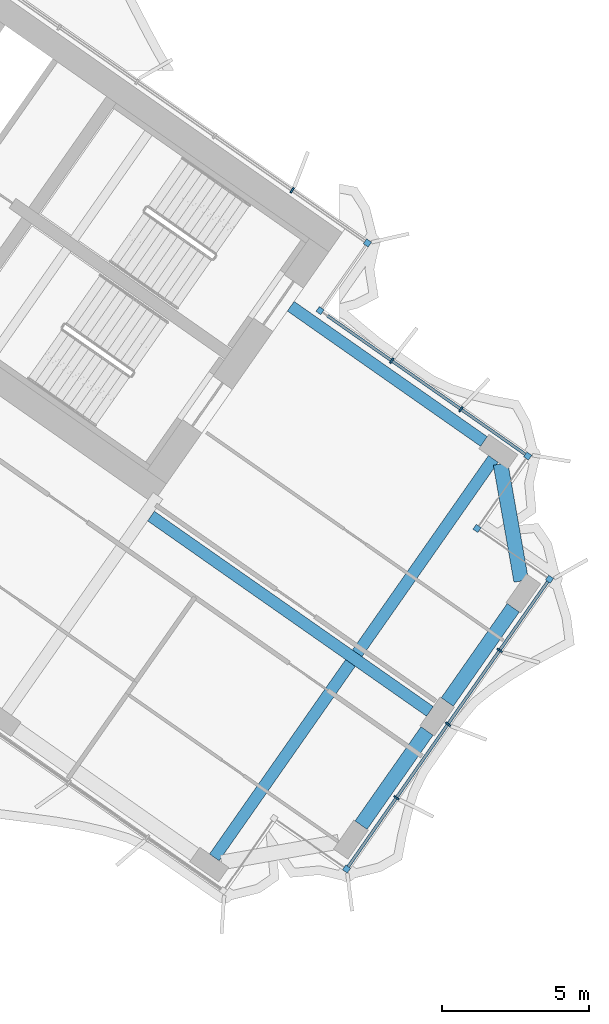
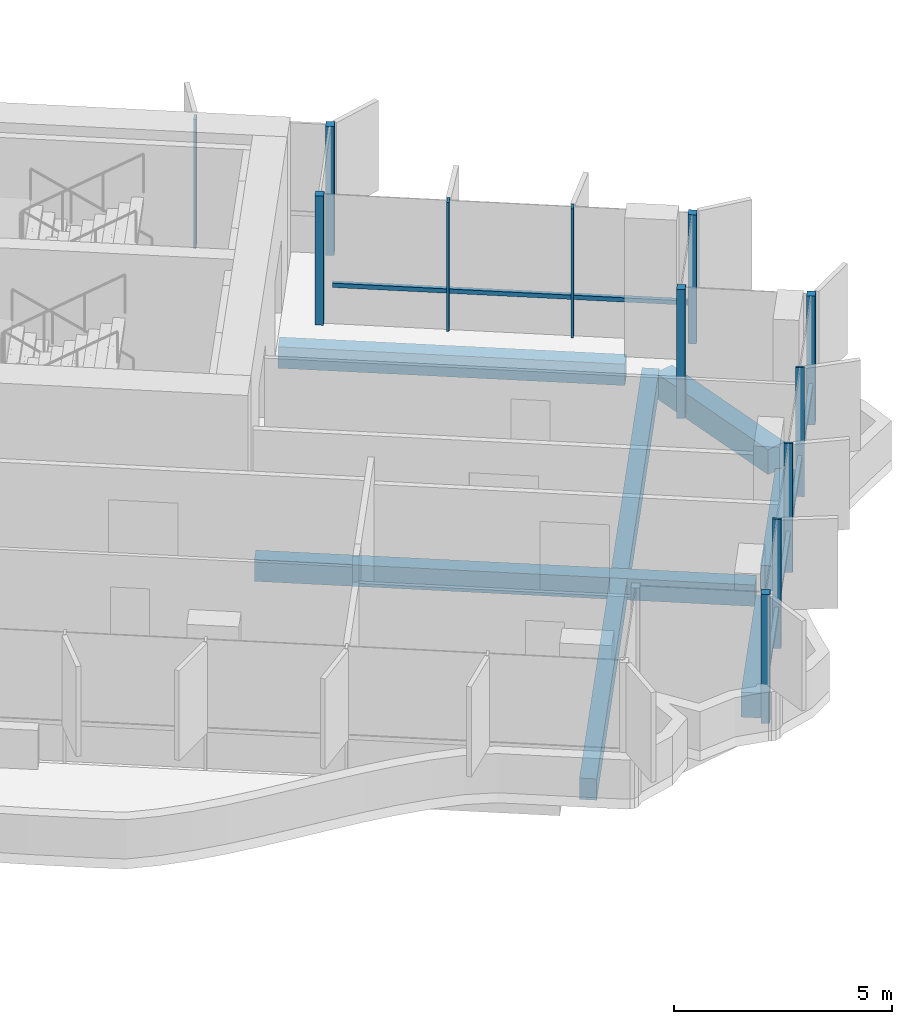
# One storey, part 11 of 23: 14 members, 6 beams, 2 elements without a shape of their own.
"""IFC4 building model written with IfcOpenShell, lengths in metres."""

from ifc_helpers import new_model, si_unit, direction, frame, origin, origin_2d, place, context, subcontext, project, spatial, rectangle, extrude, material, material_profile, profile_set, type_object, element, aggregate, save


model = new_model("IFC4")

# Units and contexts
model_context = context("Model", 3, precision=1e-05, world=origin(), true_north=direction((0.0, 1.0)))
body_context = subcontext(model_context, "Body", "Model", "MODEL_VIEW")
ifc_project = project(units=[si_unit("LENGTHUNIT", "METRE"), si_unit("AREAUNIT", "SQUARE_METRE"), si_unit("VOLUMEUNIT", "CUBIC_METRE"), si_unit("PLANEANGLEUNIT", "RADIAN"), si_unit("MASSUNIT", "GRAM", prefix="KILO")], contexts=[model_context])

# Site, building, storey
site_placement = place(None, origin())
site = spatial("IfcSite", under=ifc_project, at=site_placement, CompositionType="ELEMENT")
building_placement = place(site_placement, origin())
building = spatial("IfcBuilding", under=site, at=building_placement, Name="Tel Ilan Convention Tower", CompositionType="ELEMENT")
storey_placement = place(building_placement, frame((0.0, 0.0, 198.300048828125)))
storey = spatial("IfcBuildingStorey", under=building, at=storey_placement, Name="L46", CompositionType="ELEMENT", Elevation=198.300048828125)

# Beams
ifc_material_1 = material(Name="Concrete C40/50", Category="concrete")
ifc_material_profile_1 = material_profile(ifc_material_1, rectangle(XDim=0.39990234375, YDim=0.60009765625, at=origin_2d()), Name="RC 400x600")
ifc_profile_set_1 = profile_set([ifc_material_profile_1], Name="Concrete C40/50")
beam_type_1 = type_object("IfcBeamType", Name="Beam RC 400x600 Concrete C40/50", PredefinedType="BEAM", material=ifc_profile_set_1)
beam_1_placement = place(storey_placement, frame((32.771484375, -14.21826171875, -0.580078125), z_axis=(-0.819151624752, 0.573577035512, 0.0), x_axis=(-0.573577035512, -0.819151624752, 0.0)))
element("IfcBeam", 1, at=beam_1_placement, inside=storey, type_object=beam_type_1, Name="L46 beam E-E-BC-core", PredefinedType="BEAM", context=body_context, shape_type="SweptSolid", body=[
    extrude(rectangle(XDim=0.39990234375, YDim=0.60009765625, at=origin_2d()), origin(), (0.0, 0.0, 1.0), 8.0),
])
beam_2_placement = place(storey_placement, frame((21.477783203125, -16.748046875, -0.580078125), z_axis=(0.819160415691, -0.573564480564, 0.0), x_axis=(0.573564480564, 0.819160415691, 0.0)))
element("IfcBeam", 2, at=beam_2_placement, inside=storey, type_object=beam_type_1, Name="L46 beam E-core-end", PredefinedType="BEAM", context=body_context, shape_type="SweptSolid", body=[
    extrude(rectangle(XDim=0.39990234375, YDim=0.60009765625, at=origin_2d()), origin(), (0.0, 0.0, 1.0), 11.550048828125),
])
beam_3_placement = place(storey_placement, frame((23.626708984375, -28.32421875, -0.580078125), z_axis=(0.573577531157, 0.819151277697, 0.0), x_axis=(-0.819151277697, 0.573577531157, 0.0)))
element("IfcBeam", 3, at=beam_3_placement, inside=storey, type_object=beam_type_1, Name="L46 beam E-E-FC-E-BC", PredefinedType="BEAM", context=body_context, shape_type="SweptSolid", body=[
    extrude(rectangle(XDim=0.39990234375, YDim=0.60009765625, at=origin_2d()), origin(), (0.0, 0.0, 1.0), 16.500244140625),
])
ifc_material_2 = material(Name="Concrete C40/50", Category="concrete")
ifc_material_profile_2 = material_profile(ifc_material_2, rectangle(XDim=0.5, YDim=0.699951171875, at=origin_2d()), Name="RC 500x700")
ifc_profile_set_2 = profile_set([ifc_material_profile_2], Name="Concrete C40/50")
beam_type_2 = type_object("IfcBeamType", Name="Beam RC 500x700 Concrete C40/50", PredefinedType="BEAM", material=ifc_profile_set_2)
for number, where, z_axis, x_axis, name in (
    (4, (28.603759765625, -27.231201171875, -0.630126953125), (0.573609383536, 0.819128973434, 0.0), (-0.819128973434, 0.573609383536, 0.0), "L46 beam E-E-E1-E-E2"),
    (5, (31.529052734375, -23.053466796875, -0.630126953125), (0.573609383536, 0.819128973434, 0.0), (-0.819128973434, 0.573609383536, 0.0), "L46 beam E-E-E2-E-E3"),
):
    element("IfcBeam", number, at=place(storey_placement, frame(where, z_axis=z_axis, x_axis=x_axis)), inside=storey, type_object=beam_type_2, Name=name, PredefinedType="BEAM", context=body_context, shape_type="SweptSolid", body=[
        extrude(rectangle(XDim=0.5, YDim=0.699951171875, at=origin_2d()), origin(), (0.0, 0.0, 1.0), 3.89990234375),
    ])
beam_4_placement = place(storey_placement, frame((34.036376953125, -18.949462890625, -0.630126953125), z_axis=(-0.173605641124, 0.984815252405, 0.0), x_axis=(-0.984815252405, -0.173605641124, 0.0)))
element("IfcBeam", 6, at=beam_4_placement, inside=storey, type_object=beam_type_2, Name="L46 beam E-E-E3-E-BC", PredefinedType="BEAM", context=body_context, shape_type="SweptSolid", body=[
    extrude(rectangle(XDim=0.5, YDim=0.699951171875, at=origin_2d()), origin(), (0.0, 0.0, 1.0), 4.030517578125),
])

# Curtain wall, members
ifc_material_3 = material(Name="Aluminium, bronze anodised", Category="aluminium")
curtain_wall_type_1 = type_object("IfcCurtainWallType", Name="CW2 STICK CURTAIN WALL, SPANDREL PANELS", PredefinedType="NOTDEFINED", material=ifc_material_3)
curtain_wall_1_placement = place(storey_placement, origin())
curtain_wall_1 = element("IfcCurtainWall", 7, at=curtain_wall_1_placement, inside=storey, type_object=curtain_wall_type_1, Name="Curtain wall CW2-36.01", PredefinedType="NOTDEFINED")
ifc_material_4 = material(Name="Aluminium, bronze anodised", Category="aluminium")
ifc_material_profile_3 = material_profile(ifc_material_4, rectangle(XDim=0.199951171875, YDim=0.199951171875, at=origin_2d()), Name="CW CORNER MULLION 200x200")
ifc_profile_set_3 = profile_set([ifc_material_profile_3], Name="Aluminium, bronze anodised")
member_type_1 = type_object("IfcMemberType", Name="CW CORNER MULLION 200x200", PredefinedType="MULLION", material=ifc_profile_set_3)
member_1_placement = place(storey_placement, frame((27.213623046875, -9.77734375, 0.0), z_axis=(0.0, 0.0, 1.0), x_axis=(-0.819152044289, 0.573576436351, 0.0)))
member_1 = element("IfcMember", 8, at=member_1_placement, type_object=member_type_1, Name="Corner mullion", PredefinedType="MULLION", context=body_context, shape_type="SweptSolid", body=[
    extrude(rectangle(XDim=0.199951171875, YDim=0.199951171875, at=origin_2d()), origin(), (0.0, 0.0, 1.0), 3.619873046875),
])
member_2_placement = place(storey_placement, frame((28.819580078125, -7.483642578125, 0.0), z_axis=(0.0, 0.0, 1.0), x_axis=(0.573576436351, 0.819152044289, 0.0)))
member_2 = element("IfcMember", 9, at=member_2_placement, type_object=member_type_1, Name="Corner mullion", PredefinedType="MULLION", context=body_context, shape_type="SweptSolid", body=[
    extrude(rectangle(XDim=0.199951171875, YDim=0.199951171875, at=origin_2d()), origin(), (0.0, 0.0, 1.0), 3.619873046875),
])

ifc_material_5 = material(Name="Aluminium, bronze anodised", Category="aluminium")
curtain_wall_type_2 = type_object("IfcCurtainWallType", Name="CW4 STICK CURTAIN WALL, OFFICE TINTED GLASS", PredefinedType="NOTDEFINED", material=ifc_material_5)
curtain_wall_2_placement = place(storey_placement, origin())
curtain_wall_2 = element("IfcCurtainWall", 10, at=curtain_wall_2_placement, inside=storey, type_object=curtain_wall_type_2, Name="Curtain wall CW4-36.02", PredefinedType="NOTDEFINED")
member_3_placement = place(storey_placement, frame((28.112060546875, -28.718017578125, 0.0), z_axis=(0.0, 0.0, 1.0), x_axis=(0.819152044289, -0.573576436351, 0.0)))
member_3 = element("IfcMember", 11, at=member_3_placement, type_object=member_type_1, Name="Corner mullion", PredefinedType="MULLION", context=body_context, shape_type="SweptSolid", body=[
    extrude(rectangle(XDim=0.199951171875, YDim=0.199951171875, at=origin_2d()), origin(), (0.0, 0.0, 1.0), 3.619873046875),
])
member_4_placement = place(storey_placement, frame((34.994873046875, -18.88818359375, 0.0), z_axis=(0.0, 0.0, 1.0), x_axis=(0.573576436351, 0.819152044289, 0.0)))
member_4 = element("IfcMember", 12, at=member_4_placement, type_object=member_type_1, Name="Corner mullion", PredefinedType="MULLION", context=body_context, shape_type="SweptSolid", body=[
    extrude(rectangle(XDim=0.199951171875, YDim=0.199951171875, at=origin_2d()), origin(), (0.0, 0.0, 1.0), 3.619873046875),
])
member_5_placement = place(storey_placement, frame((32.53759765625, -17.16748046875, 0.0), z_axis=(0.0, 0.0, 1.0), x_axis=(-0.819152044289, 0.573576436351, 0.0)))
member_5 = element("IfcMember", 13, at=member_5_placement, type_object=member_type_1, Name="Corner mullion", PredefinedType="MULLION", context=body_context, shape_type="SweptSolid", body=[
    extrude(rectangle(XDim=0.199951171875, YDim=0.199951171875, at=origin_2d()), origin(), (0.0, 0.0, 1.0), 3.619873046875),
])
member_6_placement = place(storey_placement, frame((34.25830078125, -14.7099609375, 0.0), z_axis=(0.0, 0.0, 1.0), x_axis=(0.573576436351, 0.819152044289, 0.0)))
member_6 = element("IfcMember", 14, at=member_6_placement, type_object=member_type_1, Name="Corner mullion", PredefinedType="MULLION", context=body_context, shape_type="SweptSolid", body=[
    extrude(rectangle(XDim=0.199951171875, YDim=0.199951171875, at=origin_2d()), origin(), (0.0, 0.0, 1.0), 3.619873046875),
])

# Member
ifc_material_6 = material(Name="Aluminium, bronze anodised", Category="aluminium")
ifc_material_profile_4 = material_profile(ifc_material_6, rectangle(XDim=0.06005859375, YDim=0.199951171875, at=origin_2d()), Name="CW MULLION 60x200")
ifc_profile_set_4 = profile_set([ifc_material_profile_4], Name="Aluminium, bronze anodised")
member_type_2 = type_object("IfcMemberType", Name="CW MULLION 60x200", PredefinedType="MULLION", material=ifc_profile_set_4)
member_7_placement = place(storey_placement, frame((26.268798828125, -5.697509765625, 0.0), z_axis=(0.0, 0.0, 1.0), x_axis=(-0.819152044289, 0.573576436351, 0.0)))
member_7 = element("IfcMember", 15, at=member_7_placement, type_object=member_type_2, Name="Mullion", PredefinedType="MULLION", context=body_context, shape_type="SweptSolid", body=[
    extrude(rectangle(XDim=0.06005859375, YDim=0.199951171875, at=origin_2d()), origin(), (0.0, 0.0, 1.0), 3.619873046875),
])

aggregate(curtain_wall_1, [member_1, member_2, member_7])

member_8_placement = place(storey_placement, frame((29.80419921875, -26.301513671875, 0.0), z_axis=(0.0, 0.0, 1.0), x_axis=(0.573576436351, 0.819152044289, 0.0)))
member_8 = element("IfcMember", 16, at=member_8_placement, type_object=member_type_2, Name="Mullion", PredefinedType="MULLION", context=body_context, shape_type="SweptSolid", body=[
    extrude(rectangle(XDim=0.06005859375, YDim=0.199951171875, at=origin_2d()), origin(), (0.0, 0.0, 1.0), 3.619873046875),
])

member_9_placement = place(storey_placement, frame((31.553466796875, -23.802978515625, 0.0), z_axis=(0.0, 0.0, 1.0), x_axis=(0.573576436351, 0.819152044289, 0.0)))
member_9 = element("IfcMember", 17, at=member_9_placement, type_object=member_type_2, Name="Mullion", PredefinedType="MULLION", context=body_context, shape_type="SweptSolid", body=[
    extrude(rectangle(XDim=0.06005859375, YDim=0.199951171875, at=origin_2d()), origin(), (0.0, 0.0, 1.0), 3.619873046875),
])

member_10_placement = place(storey_placement, frame((33.302978515625, -21.3046875, 0.0), z_axis=(0.0, 0.0, 1.0), x_axis=(0.573576436351, 0.819152044289, 0.0)))
member_10 = element("IfcMember", 18, at=member_10_placement, type_object=member_type_2, Name="Mullion", PredefinedType="MULLION", context=body_context, shape_type="SweptSolid", body=[
    extrude(rectangle(XDim=0.06005859375, YDim=0.199951171875, at=origin_2d()), origin(), (0.0, 0.0, 1.0), 3.619873046875),
])

member_11_placement = place(storey_placement, frame((31.991943359375, -13.123046875, 0.0), z_axis=(0.0, 0.0, 1.0), x_axis=(-0.819152044289, 0.573576436351, 0.0)))
member_11 = element("IfcMember", 19, at=member_11_placement, type_object=member_type_2, Name="Mullion", PredefinedType="MULLION", context=body_context, shape_type="SweptSolid", body=[
    extrude(rectangle(XDim=0.06005859375, YDim=0.199951171875, at=origin_2d()), origin(), (0.0, 0.0, 1.0), 3.619873046875),
])

member_12_placement = place(storey_placement, frame((29.6435546875, -11.478759765625, 0.0), z_axis=(0.0, 0.0, 1.0), x_axis=(-0.819152044289, 0.573576436351, 0.0)))
member_12 = element("IfcMember", 20, at=member_12_placement, type_object=member_type_2, Name="Mullion", PredefinedType="MULLION", context=body_context, shape_type="SweptSolid", body=[
    extrude(rectangle(XDim=0.06005859375, YDim=0.199951171875, at=origin_2d()), origin(), (0.0, 0.0, 1.0), 3.619873046875),
])

ifc_material_7 = material(Name="Aluminium, bronze anodised", Category="aluminium")
ifc_material_profile_5 = material_profile(ifc_material_7, rectangle(XDim=0.10009765625, YDim=0.1201171875, at=origin_2d()), Name="CW TRANSOM 100x120")
ifc_profile_set_5 = profile_set([ifc_material_profile_5], Name="Aluminium, bronze anodised")
member_type_3 = type_object("IfcMemberType", Name="CW TRANSOM 100x120", PredefinedType="USERDEFINED", material=ifc_profile_set_5)
member_13_placement = place(storey_placement, frame((28.16943359375, -28.635986328125, 1.099853515625), z_axis=(0.573567872435, 0.819158040741, 0.0), x_axis=(-0.819158040741, 0.573567872435, 0.0)))
member_13 = element("IfcMember", 21, at=member_13_placement, type_object=member_type_3, Name="Transom", ObjectType="TRANSOM", PredefinedType="USERDEFINED", context=body_context, shape_type="SweptSolid", body=[
    extrude(rectangle(XDim=0.10009765625, YDim=0.1201171875, at=origin_2d()), origin(), (0.0, 0.0, 1.0), 11.800048828125),
])

member_14_placement = place(storey_placement, frame((34.17626953125, -14.652587890625, 1.099853515625), z_axis=(-0.819149386388, 0.573580232209, 0.0), x_axis=(-0.573580232209, -0.819149386388, 0.0)))
member_14 = element("IfcMember", 22, at=member_14_placement, type_object=member_type_3, Name="Transom", ObjectType="TRANSOM", PredefinedType="USERDEFINED", context=body_context, shape_type="SweptSolid", body=[
    extrude(rectangle(XDim=0.10009765625, YDim=0.1201171875, at=origin_2d()), origin(), (0.0, 0.0, 1.0), 8.199951171875),
])

aggregate(curtain_wall_2, [member_3, member_8, member_9, member_10, member_4, member_13, member_5, member_6, member_11, member_12, member_14])

save(model, "model.ifc")
